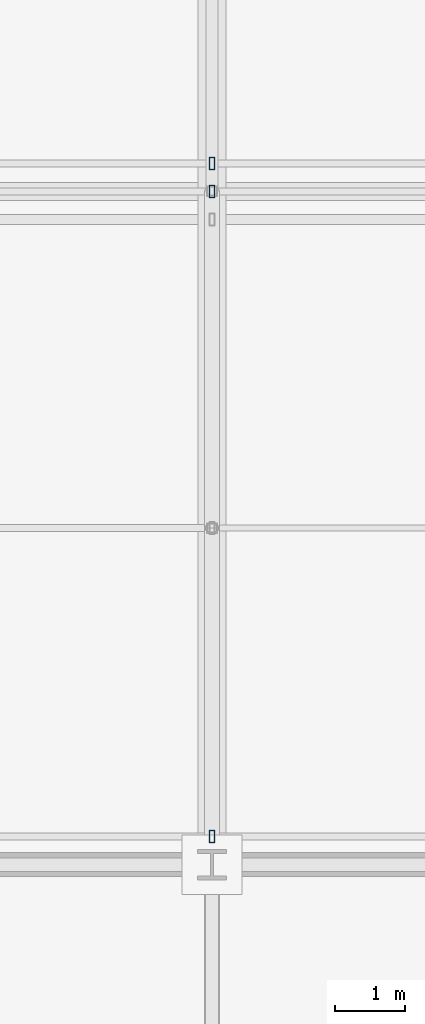
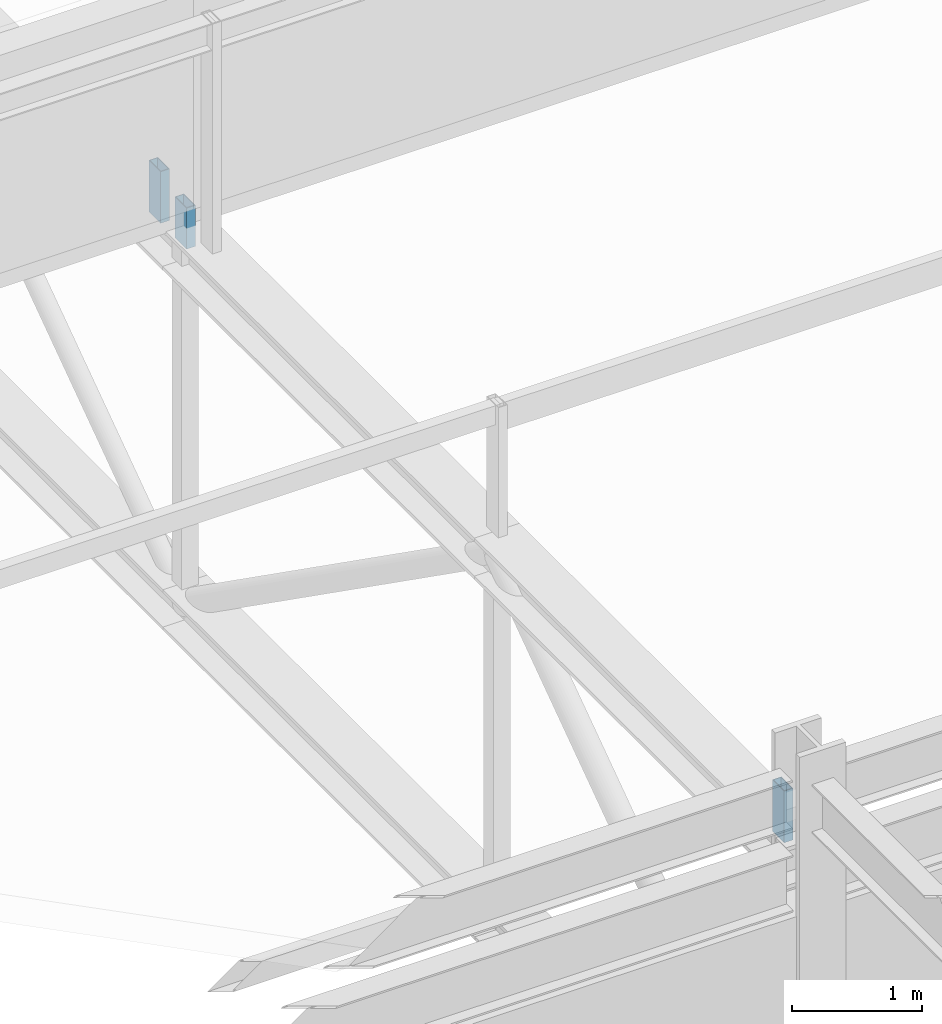
# One storey, part 77 of 136: 3 members.
"""IFC4 building model written with IfcOpenShell, lengths in metres."""

from ifc_helpers import new_model, si_unit, direction, frame, origin, origin_2d, place, context, subcontext, project, spatial, hollow_rectangle, extrude, material, material_profile, profile_set, type_object, element, save


model = new_model("IFC4")

# Units and contexts
model_context = context("Model", 3, precision=1e-05, world=origin(), true_north=direction((0.0, 1.0)))
body_context = subcontext(model_context, "Body", "Model", "MODEL_VIEW")
ifc_project = project(units=[si_unit("LENGTHUNIT", "METRE"), si_unit("AREAUNIT", "SQUARE_METRE"), si_unit("VOLUMEUNIT", "CUBIC_METRE"), si_unit("PLANEANGLEUNIT", "RADIAN"), si_unit("MASSUNIT", "GRAM", prefix="KILO")], contexts=[model_context])

# Site, building, storey
site_placement = place(None, origin())
site = spatial("IfcSite", under=ifc_project, at=site_placement, CompositionType="ELEMENT")
building_placement = place(site_placement, origin())
building = spatial("IfcBuilding", under=site, at=building_placement, Name="Kisiwana Market Hall", CompositionType="ELEMENT")
storey_placement = place(building_placement, frame((0.0, 0.0, 16.800048828125)))
storey = spatial("IfcBuildingStorey", under=building, at=storey_placement, Name="L03", CompositionType="ELEMENT", Elevation=16.800048828125)

# Members
ifc_material = material(Name="Steel S355", Category="steel")
ifc_material_profile = material_profile(ifc_material, hollow_rectangle(XDim=0.080078125, YDim=0.179931640625, WallThickness=0.00634765625, at=origin_2d()), Name="RHS 180x80x6.3")
ifc_profile_set = profile_set([ifc_material_profile], Name="Steel S355")
member_type = type_object("IfcMemberType", Name="MB-CAN-STRUT", PredefinedType="STRUT", material=ifc_profile_set)
member_1_placement = place(storey_placement, frame((63.0, 36.39990234375, 3.619873046875), z_axis=(0.0, 0.0, 1.0), x_axis=(1.0, 0.0, 0.0)))
element("IfcMember", 1, at=member_1_placement, inside=storey, type_object=member_type, Name="Sawtooth raker post 156 M-0227", PredefinedType="STRUT", context=body_context, shape_type="SweptSolid", body=[
    extrude(hollow_rectangle(XDim=0.080078125, YDim=0.179931640625, WallThickness=0.00634765625, at=origin_2d()), origin(), (0.0, 0.0, 1.0), 0.485107421875),
])
member_2_placement = place(storey_placement, frame((63.0, 45.60009765625, 3.619873046875), z_axis=(0.0, 0.0, 1.0), x_axis=(1.0, 0.0, 0.0)))
element("IfcMember", 2, at=member_2_placement, inside=storey, type_object=member_type, Name="Sawtooth raker post 158 M-0229", PredefinedType="STRUT", context=body_context, shape_type="SweptSolid", body=[
    extrude(hollow_rectangle(XDim=0.080078125, YDim=0.179931640625, WallThickness=0.00634765625, at=origin_2d()), origin(), (0.0, 0.0, 1.0), 0.385009765625),
])
member_3_placement = place(storey_placement, frame((63.0, 46.0, 3.619873046875), z_axis=(0.0, 0.0, 1.0), x_axis=(1.0, 0.0, 0.0)))
element("IfcMember", 3, at=member_3_placement, inside=storey, type_object=member_type, Name="Sawtooth raker post 201 M-0251", PredefinedType="STRUT", context=body_context, shape_type="SweptSolid", body=[
    extrude(hollow_rectangle(XDim=0.080078125, YDim=0.179931640625, WallThickness=0.00634765625, at=origin_2d()), origin(), (0.0, 0.0, 1.0), 0.485107421875),
])

save(model, "model.ifc")
